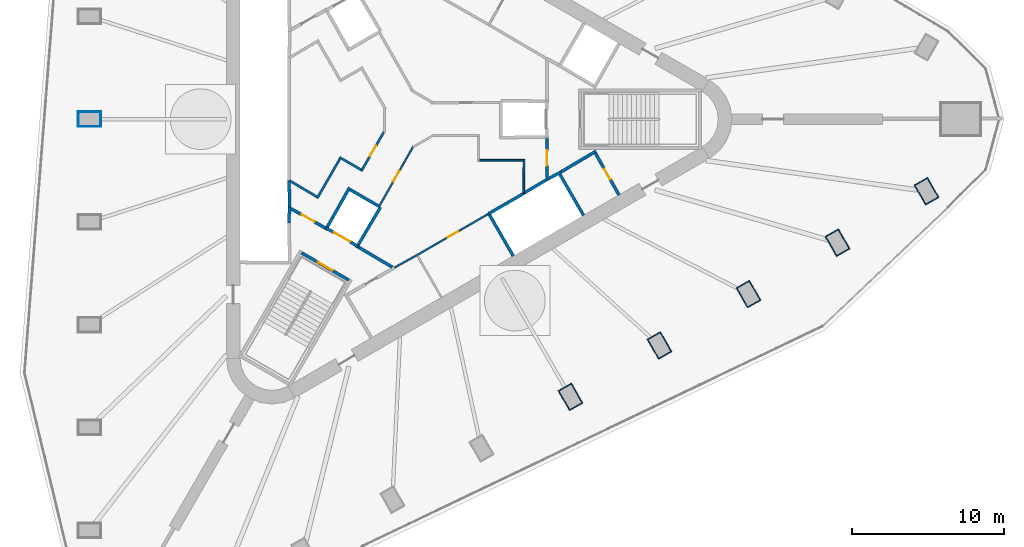
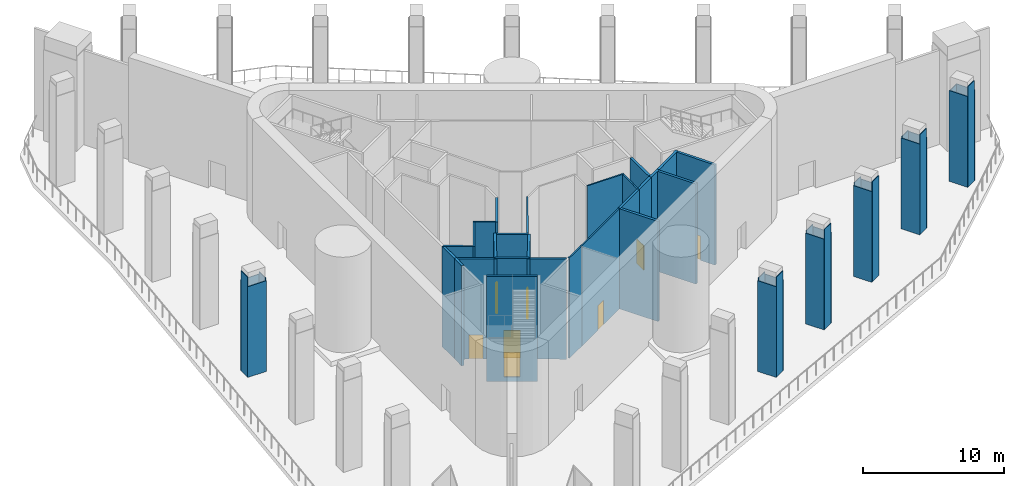
# One storey, part 3 of 10: 50 walls, 8 doors, 8 openings.
"""IFC4 building model written with IfcOpenShell, lengths in metres."""

from ifc_helpers import new_model, si_unit, direction, frame, frame_2d, origin, place, context, subcontext, project, spatial, rectangle, extrude, material, layer, layer_set, type_object, element, fill, save


model = new_model("IFC4")

# Units and contexts
model_context = context("Model", 3, precision=1e-05, world=origin(), true_north=direction((0.0, 1.0)))
body_context = subcontext(model_context, "Body", "Model", "MODEL_VIEW")
ifc_project = project(units=[si_unit("LENGTHUNIT", "METRE"), si_unit("AREAUNIT", "SQUARE_METRE"), si_unit("VOLUMEUNIT", "CUBIC_METRE"), si_unit("PLANEANGLEUNIT", "RADIAN"), si_unit("MASSUNIT", "GRAM", prefix="KILO")], contexts=[model_context])

# Site, building, storey
site_placement = place(None, origin())
site = spatial("IfcSite", under=ifc_project, at=site_placement, CompositionType="ELEMENT")
building_placement = place(site_placement, origin())
building = spatial("IfcBuilding", under=site, at=building_placement, Name="Tanit Gate Tower", CompositionType="ELEMENT")
storey_placement = place(building_placement, frame((0.0, 0.0, 283.699951171875)))
storey = spatial("IfcBuildingStorey", under=building, at=storey_placement, Name="L64", CompositionType="ELEMENT", Elevation=283.699951171875)

# Walls
ifc_material_1 = material(Name="Bronze anodised aluminium cladding", Category="aluminium")
ifc_layer_1 = layer(ifc_material_1, 0.06005859375)
ifc_layer_set_1 = layer_set([ifc_layer_1], Name="Column casing bronze 60")
wall_type_1 = type_object("IfcWallType", Name="Column casing bronze 60", PredefinedType="SOLIDWALL", material=ifc_layer_set_1)
for number, where, z_axis, x_axis, name in (
    (1, (-20.361328125, -0.47998046875, 0.0), (0.0, 0.0, 1.0), (-1.0, 0.0, 0.0), "Column casing L64 P-W5.L1"),
    (2, (-20.361328125, 0.47998046875, 0.0), (0.0, 0.0, 1.0), (-1.0, 0.0, 0.0), "Column casing L64 P-W5.L2"),
):
    element("IfcWall", number, at=place(storey_placement, frame(where, z_axis=z_axis, x_axis=x_axis)), inside=storey, type_object=wall_type_1, Name=name, PredefinedType="SOLIDWALL", context=body_context, shape_type="SweptSolid", body=[
        extrude(rectangle(XDim=1.52001953125, YDim=0.06005859375, at=frame_2d((0.760009765625, 0.0))), origin(), (0.0, 0.0, 1.0), 7.8359375),
    ])
wall_1_placement = place(storey_placement, frame((-21.851318359375, 0.449951171875, 0.0), z_axis=(0.0, 0.0, 1.0), x_axis=(0.0, -1.0, 0.0)))
element("IfcWall", 3, at=wall_1_placement, inside=storey, type_object=wall_type_1, Name="Column casing L64 P-W5.S1", PredefinedType="SOLIDWALL", context=body_context, shape_type="SweptSolid", body=[
    extrude(rectangle(XDim=0.89990234375, YDim=0.06005859375, at=frame_2d((0.449951171875, 0.0))), origin(), (0.0, 0.0, 1.0), 8.650146484375),
])
wall_2_placement = place(storey_placement, frame((-20.391357421875, 0.449951171875, 0.0), z_axis=(0.0, 0.0, 1.0), x_axis=(0.0, -1.0, 0.0)))
element("IfcWall", 4, at=wall_2_placement, inside=storey, type_object=wall_type_1, Name="Column casing L64 P-W5.S2", PredefinedType="SOLIDWALL", context=body_context, shape_type="SweptSolid", body=[
    extrude(rectangle(XDim=0.89990234375, YDim=0.06005859375, at=frame_2d((0.449951171875, 0.0))), origin(), (0.0, 0.0, 1.0), 8.050048828125),
])
for number, where, z_axis, x_axis, name in (
    (5, (10.596435546875, -17.3935546875, 0.0), (0.0, 0.0, 1.0), (0.499991248344, -0.866030456496, 0.0), "Column casing L64 P-SE5.L1"),
    (6, (9.764892578125, -17.87353515625, 0.0), (0.0, 0.0, 1.0), (0.499991248344, -0.866030456496, 0.0), "Column casing L64 P-SE5.L2"),
):
    element("IfcWall", number, at=place(storey_placement, frame(where, z_axis=z_axis, x_axis=x_axis)), inside=storey, type_object=wall_type_1, Name=name, PredefinedType="SOLIDWALL", context=body_context, shape_type="SweptSolid", body=[
        extrude(rectangle(XDim=1.52001953125, YDim=0.06005859375, at=frame_2d((0.760009765625, 0.0))), origin(), (0.0, 0.0, 1.0), 7.8359375),
    ])
wall_3_placement = place(storey_placement, frame((10.535888671875, -19.14892578125, 0.0), z_axis=(0.0, 0.0, 1.0), x_axis=(0.866081705922, 0.499902469156, 0.0)))
element("IfcWall", 7, at=wall_3_placement, inside=storey, type_object=wall_type_1, Name="Column casing L64 P-SE5.S1", PredefinedType="SOLIDWALL", context=body_context, shape_type="SweptSolid", body=[
    extrude(rectangle(XDim=0.900146484375, YDim=0.06005859375, at=frame_2d((0.4501953125, 0.0))), origin(), (0.0, 0.0, 1.0), 8.650146484375),
])
wall_4_placement = place(storey_placement, frame((9.805908203125, -17.884521484375, 0.0), z_axis=(0.0, 0.0, 1.0), x_axis=(0.866081705922, 0.499902469156, 0.0)))
element("IfcWall", 8, at=wall_4_placement, inside=storey, type_object=wall_type_1, Name="Column casing L64 P-SE5.S2", PredefinedType="SOLIDWALL", context=body_context, shape_type="SweptSolid", body=[
    extrude(rectangle(XDim=0.900146484375, YDim=0.06005859375, at=frame_2d((0.4501953125, 0.0))), origin(), (0.0, 0.0, 1.0), 8.050048828125),
])
for number, where, z_axis, x_axis, name in (
    (9, (16.460205078125, -14.008056640625, 0.0), (0.0, 0.0, 1.0), (0.499991248344, -0.866030456496, 0.0), "Column casing L64 P-SE6.L1"),
    (10, (15.62890625, -14.488037109375, 0.0), (0.0, 0.0, 1.0), (0.499991248344, -0.866030456496, 0.0), "Column casing L64 P-SE6.L2"),
):
    element("IfcWall", number, at=place(storey_placement, frame(where, z_axis=z_axis, x_axis=x_axis)), inside=storey, type_object=wall_type_1, Name=name, PredefinedType="SOLIDWALL", context=body_context, shape_type="SweptSolid", body=[
        extrude(rectangle(XDim=1.52001953125, YDim=0.06005859375, at=frame_2d((0.760009765625, 0.0))), origin(), (0.0, 0.0, 1.0), 7.8359375),
    ])
wall_5_placement = place(storey_placement, frame((16.39990234375, -15.763427734375, 0.0), z_axis=(0.0, 0.0, 1.0), x_axis=(0.866013897511, 0.50001992892, 0.0)))
element("IfcWall", 11, at=wall_5_placement, inside=storey, type_object=wall_type_1, Name="Column casing L64 P-SE6.S1", PredefinedType="SOLIDWALL", context=body_context, shape_type="SweptSolid", body=[
    extrude(rectangle(XDim=0.89990234375, YDim=0.06005859375, at=frame_2d((0.449951171875, 0.0))), origin(), (0.0, 0.0, 1.0), 8.650146484375),
])
wall_6_placement = place(storey_placement, frame((15.669921875, -14.4990234375, 0.0), z_axis=(0.0, 0.0, 1.0), x_axis=(0.866013897511, 0.50001992892, 0.0)))
element("IfcWall", 12, at=wall_6_placement, inside=storey, type_object=wall_type_1, Name="Column casing L64 P-SE6.S2", PredefinedType="SOLIDWALL", context=body_context, shape_type="SweptSolid", body=[
    extrude(rectangle(XDim=0.89990234375, YDim=0.06005859375, at=frame_2d((0.449951171875, 0.0))), origin(), (0.0, 0.0, 1.0), 8.050048828125),
])
for number, where, z_axis, x_axis, name in (
    (13, (22.32421875, -10.62255859375, 0.0), (0.0, 0.0, 1.0), (0.49987077196, -0.866100000774, 0.0), "Column casing L64 P-SE7.L1"),
    (14, (21.49267578125, -11.1025390625, 0.0), (0.0, 0.0, 1.0), (0.499991248344, -0.866030456496, 0.0), "Column casing L64 P-SE7.L2"),
):
    element("IfcWall", number, at=place(storey_placement, frame(where, z_axis=z_axis, x_axis=x_axis)), inside=storey, type_object=wall_type_1, Name=name, PredefinedType="SOLIDWALL", context=body_context, shape_type="SweptSolid", body=[
        extrude(rectangle(XDim=1.52001953125, YDim=0.06005859375, at=frame_2d((0.760009765625, 0.0))), origin(), (0.0, 0.0, 1.0), 7.8359375),
    ])
wall_7_placement = place(storey_placement, frame((22.263671875, -12.3779296875, 0.0), z_axis=(0.0, 0.0, 1.0), x_axis=(0.866081705922, 0.499902469156, 0.0)))
element("IfcWall", 15, at=wall_7_placement, inside=storey, type_object=wall_type_1, Name="Column casing L64 P-SE7.S1", PredefinedType="SOLIDWALL", context=body_context, shape_type="SweptSolid", body=[
    extrude(rectangle(XDim=0.900146484375, YDim=0.06005859375, at=frame_2d((0.4501953125, 0.0))), origin(), (0.0, 0.0, 1.0), 8.650146484375),
])
wall_8_placement = place(storey_placement, frame((21.53369140625, -11.113525390625, 0.0), z_axis=(0.0, 0.0, 1.0), x_axis=(0.866013897511, 0.50001992892, 0.0)))
element("IfcWall", 16, at=wall_8_placement, inside=storey, type_object=wall_type_1, Name="Column casing L64 P-SE7.S2", PredefinedType="SOLIDWALL", context=body_context, shape_type="SweptSolid", body=[
    extrude(rectangle(XDim=0.89990234375, YDim=0.06005859375, at=frame_2d((0.449951171875, 0.0))), origin(), (0.0, 0.0, 1.0), 8.050048828125),
])
for number, where, z_axis, x_axis, name in (
    (17, (28.18798828125, -7.237060546875, 0.0), (0.0, 0.0, 1.0), (0.499991248344, -0.866030456496, 0.0), "Column casing L64 P-SE8.L1"),
    (18, (27.3564453125, -7.717041015625, 0.0), (0.0, 0.0, 1.0), (0.499991248344, -0.866030456496, 0.0), "Column casing L64 P-SE8.L2"),
):
    element("IfcWall", number, at=place(storey_placement, frame(where, z_axis=z_axis, x_axis=x_axis)), inside=storey, type_object=wall_type_1, Name=name, PredefinedType="SOLIDWALL", context=body_context, shape_type="SweptSolid", body=[
        extrude(rectangle(XDim=1.52001953125, YDim=0.06005859375, at=frame_2d((0.760009765625, 0.0))), origin(), (0.0, 0.0, 1.0), 7.8359375),
    ])
wall_9_placement = place(storey_placement, frame((28.12744140625, -8.992431640625, 0.0), z_axis=(0.0, 0.0, 1.0), x_axis=(0.866081705922, 0.499902469156, 0.0)))
element("IfcWall", 19, at=wall_9_placement, inside=storey, type_object=wall_type_1, Name="Column casing L64 P-SE8.S1", PredefinedType="SOLIDWALL", context=body_context, shape_type="SweptSolid", body=[
    extrude(rectangle(XDim=0.900146484375, YDim=0.06005859375, at=frame_2d((0.4501953125, 0.0))), origin(), (0.0, 0.0, 1.0), 8.650146484375),
])
wall_10_placement = place(storey_placement, frame((27.3974609375, -7.72802734375, 0.0), z_axis=(0.0, 0.0, 1.0), x_axis=(0.866081705922, 0.499902469156, 0.0)))
element("IfcWall", 20, at=wall_10_placement, inside=storey, type_object=wall_type_1, Name="Column casing L64 P-SE8.S2", PredefinedType="SOLIDWALL", context=body_context, shape_type="SweptSolid", body=[
    extrude(rectangle(XDim=0.900146484375, YDim=0.06005859375, at=frame_2d((0.4501953125, 0.0))), origin(), (0.0, 0.0, 1.0), 7.9599609375),
])
for number, where, z_axis, x_axis, name in (
    (21, (34.0517578125, -3.8515625, 0.0), (0.0, 0.0, 1.0), (0.499991248344, -0.866030456496, 0.0), "Column casing L64 P-SE9.L1"),
    (22, (33.220458984375, -4.33154296875, 0.0), (0.0, 0.0, 1.0), (0.499991248344, -0.866030456496, 0.0), "Column casing L64 P-SE9.L2"),
):
    element("IfcWall", number, at=place(storey_placement, frame(where, z_axis=z_axis, x_axis=x_axis)), inside=storey, type_object=wall_type_1, Name=name, PredefinedType="SOLIDWALL", context=body_context, shape_type="SweptSolid", body=[
        extrude(rectangle(XDim=1.52001953125, YDim=0.06005859375, at=frame_2d((0.760009765625, 0.0))), origin(), (0.0, 0.0, 1.0), 7.8359375),
    ])
wall_11_placement = place(storey_placement, frame((33.991455078125, -5.60693359375, 0.0), z_axis=(0.0, 0.0, 1.0), x_axis=(0.866013897511, 0.50001992892, 0.0)))
element("IfcWall", 23, at=wall_11_placement, inside=storey, type_object=wall_type_1, Name="Column casing L64 P-SE9.S1", PredefinedType="SOLIDWALL", context=body_context, shape_type="SweptSolid", body=[
    extrude(rectangle(XDim=0.89990234375, YDim=0.06005859375, at=frame_2d((0.449951171875, 0.0))), origin(), (0.0, 0.0, 1.0), 8.650146484375),
])
wall_12_placement = place(storey_placement, frame((33.261474609375, -4.342529296875, 0.0), z_axis=(0.0, 0.0, 1.0), x_axis=(0.866013897511, 0.50001992892, 0.0)))
element("IfcWall", 24, at=wall_12_placement, inside=storey, type_object=wall_type_1, Name="Column casing L64 P-SE9.S2", PredefinedType="SOLIDWALL", context=body_context, shape_type="SweptSolid", body=[
    extrude(rectangle(XDim=0.89990234375, YDim=0.06005859375, at=frame_2d((0.449951171875, 0.0))), origin(), (0.0, 0.0, 1.0), 7.8359375),
])
ifc_material_2 = material(Name="Fire-rated gypsum board partition")
ifc_layer_2 = layer(ifc_material_2, 0.199951171875)
ifc_layer_set_2 = layer_set([ifc_layer_2], Name="INT-WALL-COMPARTMENT")
wall_type_2 = type_object("IfcWallType", Name="INT-WALL-COMPARTMENT", PredefinedType="PARTITIONING", material=ifc_layer_set_2)
wall_13_placement = place(storey_placement, frame((12.244873046875, -2.10888671875, 0.0), z_axis=(0.0, 0.0, 1.0), x_axis=(-0.860414880418, -0.509594185166, 0.0)))
element("IfcWall", 25, at=wall_13_placement, inside=storey, type_object=wall_type_2, Name="Wall Compartment W057", PredefinedType="PARTITIONING", context=body_context, shape_type="SweptSolid", body=[
    extrude(rectangle(XDim=2.7001953125, YDim=0.199951171875, at=frame_2d((1.35009765625, 0.0))), origin(), (0.0, 0.0, 1.0), 8.650146484375),
])

# Wall, opening, door
wall_14_placement = place(storey_placement, frame((13.758056640625, -4.989501953125, 0.0), z_axis=(0.0, 0.0, 1.0), x_axis=(-0.491993409184, 0.87059892334, 0.0)))
wall_14 = element("IfcWall", 26, at=wall_14_placement, inside=storey, type_object=wall_type_2, Name="Wall Compartment W058", PredefinedType="PARTITIONING", context=body_context, shape_type="SweptSolid", body=[
    extrude(rectangle(XDim=3.150146484375, YDim=0.199951171875, at=frame_2d((1.5751953125, 0.0))), origin(), (0.0, 0.0, 1.0), 8.650146484375),
])
opening_1_placement = place(wall_14_placement, frame((1.175048828125, 0.0, 0.0)))
opening_1 = element("IfcOpeningElement", 27, at=opening_1_placement, cuts=wall_14, Name="Opening R08-64-18", PredefinedType="OPENING", context=body_context, shape_type="SweptSolid", body=[
    extrude(rectangle(XDim=0.800048828125, YDim=2.10009765625, at=frame_2d((0.39990234375, 1.050048828125))), frame((0.0, 0.10986328125, 0.0), z_axis=(0.0, -1.0, 0.0), x_axis=(1.0, 0.0, 0.0)), (0.0, 0.0, 1.0), 0.219970703125),
])
ifc_material_3 = material(Name="Timber door leaf", Category="wood")
door_type_1 = type_object("IfcDoorType", Name="INT-DOOR-RISER-800", OperationType="NOTDEFINED", PredefinedType="USERDEFINED", material=ifc_material_3)
door_1_placement = place(opening_1_placement, origin())
door_1 = element("IfcDoor", 28, at=door_1_placement, inside=storey, type_object=door_type_1, Name="Door R08-64-18", ObjectType="FIRE DOOR", OperationType="SINGLE_SWING_RIGHT", OverallHeight=2.10009765625, OverallWidth=0.800048828125, PredefinedType="USERDEFINED", context=body_context, shape_type="SweptSolid", body=[
    extrude(rectangle(XDim=0.800048828125, YDim=2.10009765625, at=frame_2d((0.39990234375, 1.050048828125))), frame((0.0, 0.02490234375, 0.0), z_axis=(0.0, -1.0, 0.0), x_axis=(1.0, 0.0, 0.0)), (0.0, 0.0, 1.0), 0.050048828125),
])
fill(opening_1, door_1)

wall_15_placement = place(storey_placement, frame((9.02880859375, -3.850830078125, 0.0), z_axis=(0.0, 0.0, 1.0), x_axis=(-0.010783593937, 0.99994185536, 0.0)))
wall_15 = element("IfcWall", 29, at=wall_15_placement, inside=storey, type_object=wall_type_2, Name="Wall Compartment W060", PredefinedType="PARTITIONING", context=body_context, shape_type="SweptSolid", body=[
    extrude(rectangle(XDim=2.5810546875, YDim=0.199951171875, at=frame_2d((1.29052734375, 0.0))), origin(), (0.0, 0.0, 1.0), 8.650146484375),
])
opening_2_placement = place(wall_15_placement, frame((0.79052734375, 0.0, 0.0)))
opening_2 = element("IfcOpeningElement", 30, at=opening_2_placement, cuts=wall_15, Name="Opening F10-64-02", PredefinedType="OPENING", context=body_context, shape_type="SweptSolid", body=[
    extrude(rectangle(XDim=1.0, YDim=2.10009765625, at=frame_2d((0.5, 1.050048828125))), frame((0.0, 0.10986328125, 0.0), z_axis=(0.0, -1.0, 0.0), x_axis=(1.0, 0.0, 0.0)), (0.0, 0.0, 1.0), 0.219970703125),
])
ifc_material_4 = material(Name="Fire-rated steel door leaf", Category="steel")
door_type_2 = type_object("IfcDoorType", Name="INT-DOOR-FIRE-1000", OperationType="NOTDEFINED", PredefinedType="USERDEFINED", material=ifc_material_4)
door_2_placement = place(opening_2_placement, origin())
door_2 = element("IfcDoor", 31, at=door_2_placement, inside=storey, type_object=door_type_2, Name="Door F10-64-02", ObjectType="FIRE DOOR", OperationType="SINGLE_SWING_LEFT", OverallHeight=2.10009765625, OverallWidth=1.0, PredefinedType="USERDEFINED", context=body_context, shape_type="SweptSolid", body=[
    extrude(rectangle(XDim=1.0, YDim=2.10009765625, at=frame_2d((0.5, 1.050048828125))), frame((0.0, 0.02490234375, 0.0), z_axis=(0.0, -1.0, 0.0), x_axis=(1.0, 0.0, 0.0)), (0.0, 0.0, 1.0), 0.050048828125),
])
fill(opening_2, door_2)

# Wall
wall_16_placement = place(storey_placement, frame((-3.400634765625, -8.43017578125, 0.0), z_axis=(0.0, 0.0, 1.0), x_axis=(0.860630814782, -0.509229418482, 0.0)))
element("IfcWall", 32, at=wall_16_placement, inside=storey, type_object=wall_type_2, Name="Wall Compartment W063", PredefinedType="PARTITIONING", context=body_context, shape_type="SweptSolid", body=[
    extrude(rectangle(XDim=2.581787109375, YDim=0.199951171875, at=frame_2d((1.291015625, 0.0))), origin(), (0.0, 0.0, 1.0), 8.650146484375),
])

# Wall, opening, door
wall_17_placement = place(storey_placement, frame((-7.849365234375, -5.893798828125, 0.0), z_axis=(0.0, 0.0, 1.0), x_axis=(0.871363259478, -0.490638431059, 0.0)))
wall_17 = element("IfcWall", 33, at=wall_17_placement, inside=storey, type_object=wall_type_2, Name="Wall Compartment W064", PredefinedType="PARTITIONING", context=body_context, shape_type="SweptSolid", body=[
    extrude(rectangle(XDim=2.5810546875, YDim=0.199951171875, at=frame_2d((1.29052734375, 0.0))), origin(), (0.0, 0.0, 1.0), 8.650146484375),
])
opening_3_placement = place(wall_17_placement, frame((0.79052734375, 0.0, 0.0)))
opening_3 = element("IfcOpeningElement", 34, at=opening_3_placement, cuts=wall_17, Name="Opening F10-64-08", PredefinedType="OPENING", context=body_context, shape_type="SweptSolid", body=[
    extrude(rectangle(XDim=1.0, YDim=2.10009765625, at=frame_2d((0.5, 1.050048828125))), frame((0.0, 0.10986328125, 0.0), z_axis=(0.0, -1.0, 0.0), x_axis=(1.0, 0.0, 0.0)), (0.0, 0.0, 1.0), 0.219970703125),
])
door_3_placement = place(opening_3_placement, origin())
door_3 = element("IfcDoor", 35, at=door_3_placement, inside=storey, type_object=door_type_2, Name="Door F10-64-08", ObjectType="FIRE DOOR", OperationType="SINGLE_SWING_RIGHT", OverallHeight=2.10009765625, OverallWidth=1.0, PredefinedType="USERDEFINED", context=body_context, shape_type="SweptSolid", body=[
    extrude(rectangle(XDim=1.0, YDim=2.10009765625, at=frame_2d((0.5, 1.050048828125))), frame((0.0, 0.02490234375, 0.0), z_axis=(0.0, -1.0, 0.0), x_axis=(1.0, 0.0, 0.0)), (0.0, 0.0, 1.0), 0.050048828125),
])
fill(opening_3, door_3)

# Wall
ifc_material_5 = material(Name="Gypsum board partition")
ifc_layer_3 = layer(ifc_material_5, 0.1201171875)
ifc_layer_set_3 = layer_set([ifc_layer_3], Name="INT-WALL-PARTITION")
wall_type_3 = type_object("IfcWallType", Name="INT-WALL-PARTITION", PredefinedType="PARTITIONING", material=ifc_layer_set_3)
wall_18_placement = place(storey_placement, frame((-1.0234375, -9.77197265625, 0.0), z_axis=(0.0, 0.0, 1.0), x_axis=(0.874290944206, 0.485402250592, 0.0)))
element("IfcWall", 36, at=wall_18_placement, inside=storey, type_object=wall_type_3, Name="Wall Partition W055", PredefinedType="PARTITIONING", context=body_context, shape_type="SweptSolid", body=[
    extrude(rectangle(XDim=1.72265625, YDim=0.1201171875, at=frame_2d((0.861328125, 0.0))), origin(), (0.0, 0.0, 1.0), 8.650146484375),
])

# Wall, opening, door
wall_19_placement = place(storey_placement, frame((0.482666015625, -8.935791015625, 0.0), z_axis=(0.0, 0.0, 1.0), x_axis=(0.866028230842, 0.499995103361, 0.0)))
wall_19 = element("IfcWall", 37, at=wall_19_placement, inside=storey, type_object=wall_type_3, Name="Wall Partition W056", PredefinedType="PARTITIONING", context=body_context, shape_type="SweptSolid", body=[
    extrude(rectangle(XDim=5.39990234375, YDim=0.1201171875, at=frame_2d((2.699951171875, 0.0))), origin(), (0.0, 0.0, 1.0), 8.650146484375),
])
opening_4_placement = place(wall_19_placement, frame((2.300048828125, 0.0, 0.0)))
opening_4 = element("IfcOpeningElement", 38, at=opening_4_placement, cuts=wall_19, Name="Opening R08-64-17", PredefinedType="OPENING", context=body_context, shape_type="SweptSolid", body=[
    extrude(rectangle(XDim=0.800048828125, YDim=2.10009765625, at=frame_2d((0.39990234375, 1.050048828125))), frame((0.0, 0.070068359375, 0.0), z_axis=(0.0, -1.0, 0.0), x_axis=(1.0, 0.0, 0.0)), (0.0, 0.0, 1.0), 0.14013671875),
])
door_4_placement = place(opening_4_placement, origin())
door_4 = element("IfcDoor", 39, at=door_4_placement, inside=storey, type_object=door_type_1, Name="Door R08-64-17", ObjectType="FIRE DOOR", OperationType="SINGLE_SWING_RIGHT", OverallHeight=2.10009765625, OverallWidth=0.800048828125, PredefinedType="USERDEFINED", context=body_context, shape_type="SweptSolid", body=[
    extrude(rectangle(XDim=0.800048828125, YDim=2.10009765625, at=frame_2d((0.39990234375, 1.050048828125))), frame((0.0, 0.02490234375, 0.0), z_axis=(0.0, -1.0, 0.0), x_axis=(1.0, 0.0, 0.0)), (0.0, 0.0, 1.0), 0.050048828125),
])
fill(opening_4, door_4)

wall_20_placement = place(storey_placement, frame((0.223876953125, -1.760986328125, 0.0), z_axis=(0.0, 0.0, 1.0), x_axis=(-0.494327216836, -0.869275907118, 0.0)))
wall_20 = element("IfcWall", 40, at=wall_20_placement, inside=storey, type_object=wall_type_3, Name="Wall Partition W068", PredefinedType="PARTITIONING", context=body_context, shape_type="SweptSolid", body=[
    extrude(rectangle(XDim=4.487060546875, YDim=0.1201171875, at=frame_2d((2.24365234375, 0.0))), origin(), (0.0, 0.0, 1.0), 8.650146484375),
])
opening_5_placement = place(wall_20_placement, frame((1.89453125, 0.0, 0.0)))
opening_5 = element("IfcOpeningElement", 41, at=opening_5_placement, cuts=wall_20, Name="Opening R08-64-11", PredefinedType="OPENING", context=body_context, shape_type="SweptSolid", body=[
    extrude(rectangle(XDim=0.800048828125, YDim=2.10009765625, at=frame_2d((0.39990234375, 1.050048828125))), frame((0.0, 0.070068359375, 0.0), z_axis=(0.0, -1.0, 0.0), x_axis=(1.0, 0.0, 0.0)), (0.0, 0.0, 1.0), 0.14013671875),
])
door_5_placement = place(opening_5_placement, origin())
door_5 = element("IfcDoor", 42, at=door_5_placement, inside=storey, type_object=door_type_1, Name="Door R08-64-11", ObjectType="FIRE DOOR", OperationType="SINGLE_SWING_RIGHT", OverallHeight=2.10009765625, OverallWidth=0.800048828125, PredefinedType="USERDEFINED", context=body_context, shape_type="SweptSolid", body=[
    extrude(rectangle(XDim=0.800048828125, YDim=2.10009765625, at=frame_2d((0.39990234375, 1.050048828125))), frame((0.0, 0.02490234375, 0.0), z_axis=(0.0, -1.0, 0.0), x_axis=(1.0, 0.0, 0.0)), (0.0, 0.0, 1.0), 0.050048828125),
])
fill(opening_5, door_5)

# Walls
wall_21_placement = place(storey_placement, frame((7.56005859375, -2.699951171875, 0.0), z_axis=(0.0, 0.0, 1.0), x_axis=(-1.0, 0.0, 0.0)))
element("IfcWall", 43, at=wall_21_placement, inside=storey, type_object=wall_type_3, Name="Wall Partition W072", PredefinedType="PARTITIONING", context=body_context, shape_type="SweptSolid", body=[
    extrude(rectangle(XDim=3.0, YDim=0.1201171875, at=frame_2d((1.5, 0.0))), origin(), (0.0, 0.0, 1.0), 8.650146484375),
])
wall_22_placement = place(storey_placement, frame((7.474609375, -4.864501953125, 0.0), z_axis=(0.0, 0.0, 1.0), x_axis=(0.011716133148, 0.999931363757, 0.0)))
element("IfcWall", 44, at=wall_22_placement, inside=storey, type_object=wall_type_3, Name="Wall Partition W073", PredefinedType="PARTITIONING", context=body_context, shape_type="SweptSolid", body=[
    extrude(rectangle(XDim=2.104736328125, YDim=0.1201171875, at=frame_2d((1.05224609375, 0.0))), origin(), (0.0, 0.0, 1.0), 8.650146484375),
])

# Wall, opening, door
ifc_material_6 = material(Name="Fire-rated gypsum board partition")
ifc_layer_4 = layer(ifc_material_6, 0.14990234375)
ifc_layer_set_4 = layer_set([ifc_layer_4], Name="INT-WALL-RISER")
wall_type_4 = type_object("IfcWallType", Name="INT-WALL-RISER", PredefinedType="PLUMBINGWALL", material=ifc_layer_set_4)
wall_23_placement = place(storey_placement, frame((-3.218505859375, -3.424560546875, 0.0), z_axis=(0.0, 0.0, 1.0), x_axis=(0.499996236806, 0.866027576455, 0.0)))
wall_23 = element("IfcWall", 45, at=wall_23_placement, inside=storey, type_object=wall_type_4, Name="Wall Riser W079", PredefinedType="PLUMBINGWALL", context=body_context, shape_type="SweptSolid", body=[
    extrude(rectangle(XDim=3.0361328125, YDim=0.14990234375, at=frame_2d((1.51806640625, 0.0))), origin(), (0.0, 0.0, 1.0), 8.650146484375),
])
opening_6_placement = place(wall_23_placement, frame((1.155517578125, 0.0, 0.0)))
opening_6 = element("IfcOpeningElement", 46, at=opening_6_placement, cuts=wall_23, Name="Opening R08-64-12", PredefinedType="OPENING", context=body_context, shape_type="SweptSolid", body=[
    extrude(rectangle(XDim=0.800048828125, YDim=2.10009765625, at=frame_2d((0.39990234375, 1.050048828125))), frame((0.0, 0.0849609375, 0.0), z_axis=(0.0, -1.0, 0.0), x_axis=(1.0, 0.0, 0.0)), (0.0, 0.0, 1.0), 0.169921875),
])
door_6_placement = place(opening_6_placement, origin())
door_6 = element("IfcDoor", 47, at=door_6_placement, inside=storey, type_object=door_type_1, Name="Door R08-64-12", ObjectType="FIRE DOOR", OperationType="SINGLE_SWING_LEFT", OverallHeight=2.10009765625, OverallWidth=0.800048828125, PredefinedType="USERDEFINED", context=body_context, shape_type="SweptSolid", body=[
    extrude(rectangle(XDim=0.800048828125, YDim=2.10009765625, at=frame_2d((0.39990234375, 1.050048828125))), frame((0.0, 0.02490234375, 0.0), z_axis=(0.0, -1.0, 0.0), x_axis=(1.0, 0.0, 0.0)), (0.0, 0.0, 1.0), 0.050048828125),
])
fill(opening_6, door_6)

# Walls
wall_24_placement = place(storey_placement, frame((-4.6533203125, -2.509521484375, 0.0), z_axis=(0.0, 0.0, 1.0), x_axis=(0.866053003207, -0.499952193351, 0.0)))
element("IfcWall", 48, at=wall_24_placement, inside=storey, type_object=wall_type_4, Name="Wall Riser W080", PredefinedType="PLUMBINGWALL", context=body_context, shape_type="SweptSolid", body=[
    extrude(rectangle(XDim=1.625244140625, YDim=0.14990234375, at=frame_2d((0.8125, 0.0))), origin(), (0.0, 0.0, 1.0), 8.650146484375),
])
wall_25_placement = place(storey_placement, frame((-6.125732421875, -5.210205078125, 0.0), z_axis=(0.0, 0.0, 1.0), x_axis=(0.499990139034, 0.866031096941, 0.0)))
element("IfcWall", 49, at=wall_25_placement, inside=storey, type_object=wall_type_4, Name="Wall Riser W081", PredefinedType="PLUMBINGWALL", context=body_context, shape_type="SweptSolid", body=[
    extrude(rectangle(XDim=3.0, YDim=0.14990234375, at=frame_2d((1.5, 0.0))), origin(), (0.0, 0.0, 1.0), 8.650146484375),
])
wall_26_placement = place(storey_placement, frame((-7.949951171875, -4.041015625, 0.0), z_axis=(0.0, 0.0, 1.0), x_axis=(0.860090281069, -0.510141851263, 0.0)))
element("IfcWall", 50, at=wall_26_placement, inside=storey, type_object=wall_type_4, Name="Wall Riser W082", PredefinedType="PLUMBINGWALL", context=body_context, shape_type="SweptSolid", body=[
    extrude(rectangle(XDim=2.08935546875, YDim=0.14990234375, at=frame_2d((1.044677734375, 0.0))), origin(), (0.0, 0.0, 1.0), 8.650146484375),
])
ifc_material_7 = material(Name="Gypsum shaft wall system")
ifc_layer_5 = layer(ifc_material_7, 0.199951171875)
ifc_layer_set_5 = layer_set([ifc_layer_5], Name="INT-WALL-SHAFT")
wall_type_5 = type_object("IfcWallType", Name="INT-WALL-SHAFT", PredefinedType="PLUMBINGWALL", material=ifc_layer_set_5)
wall_27_placement = place(storey_placement, frame((-7.949951171875, -5.7724609375, 0.0), z_axis=(0.0, 0.0, 1.0), x_axis=(-0.030803413295, -0.999525462272, 0.0)))
element("IfcWall", 51, at=wall_27_placement, inside=storey, type_object=wall_type_5, Name="Wall Shaft W008", PredefinedType="PLUMBINGWALL", context=body_context, shape_type="SweptSolid", body=[
    extrude(rectangle(XDim=1.077880859375, YDim=0.199951171875, at=frame_2d((0.5390625, 0.0))), origin(), (0.0, 0.0, 1.0), 8.650146484375),
])
wall_28_placement = place(storey_placement, frame((-7.971435546875, -4.050048828125, 0.0), z_axis=(0.0, 0.0, 1.0), x_axis=(0.012042535896, -0.999927486035, 0.0)))
element("IfcWall", 52, at=wall_28_placement, inside=storey, type_object=wall_type_5, Name="Wall Shaft W009", PredefinedType="PLUMBINGWALL", context=body_context, shape_type="SweptSolid", body=[
    extrude(rectangle(XDim=1.844970703125, YDim=0.199951171875, at=frame_2d((0.92236328125, 0.0))), origin(), (0.0, 0.0, 1.0), 8.650146484375),
])
wall_29_placement = place(storey_placement, frame((6.795166015625, -9.009521484375, 0.0), z_axis=(0.0, 0.0, 1.0), x_axis=(-0.499984717929, 0.866034226713, 0.0)))
element("IfcWall", 53, at=wall_29_placement, inside=storey, type_object=wall_type_5, Name="Wall Shaft W015", PredefinedType="PLUMBINGWALL", context=body_context, shape_type="SweptSolid", body=[
    extrude(rectangle(XDim=3.25, YDim=0.199951171875, at=frame_2d((1.625, 0.0))), origin(), (0.0, 0.0, 1.0), 8.650146484375),
])
wall_30_placement = place(storey_placement, frame((5.1591796875, -6.23583984375, 0.0), z_axis=(0.0, 0.0, 1.0), x_axis=(0.866036505625, 0.499980770555, 0.0)))
element("IfcWall", 54, at=wall_30_placement, inside=storey, type_object=wall_type_5, Name="Wall Shaft W016", PredefinedType="PLUMBINGWALL", context=body_context, shape_type="SweptSolid", body=[
    extrude(rectangle(XDim=2.69970703125, YDim=0.199951171875, at=frame_2d((1.349853515625, 0.0))), origin(), (0.0, 0.0, 1.0), 8.650146484375),
])
wall_31_placement = place(storey_placement, frame((9.794677734375, -3.52490234375, 0.0), z_axis=(0.0, 0.0, 1.0), x_axis=(0.499984717929, -0.866034226713, 0.0)))
element("IfcWall", 55, at=wall_31_placement, inside=storey, type_object=wall_type_5, Name="Wall Shaft W017", PredefinedType="PLUMBINGWALL", context=body_context, shape_type="SweptSolid", body=[
    extrude(rectangle(XDim=3.25, YDim=0.199951171875, at=frame_2d((1.625, 0.0))), origin(), (0.0, 0.0, 1.0), 8.650146484375),
])
wall_32_placement = place(storey_placement, frame((8.97412109375, -3.998779296875, 0.0), z_axis=(0.0, 0.0, 1.0), x_axis=(0.880907015104, 0.473289373154, 0.0)))
element("IfcWall", 56, at=wall_32_placement, inside=storey, type_object=wall_type_5, Name="Wall Shaft W018", PredefinedType="PLUMBINGWALL", context=body_context, shape_type="SweptSolid", body=[
    extrude(rectangle(XDim=1.078125, YDim=0.199951171875, at=frame_2d((0.5390625, 0.0))), origin(), (0.0, 0.0, 1.0), 8.650146484375),
])
wall_33_placement = place(storey_placement, frame((7.4931640625, -4.87841796875, 0.0), z_axis=(0.0, 0.0, 1.0), x_axis=(0.859981807212, 0.510324691999, 0.0)))
element("IfcWall", 57, at=wall_33_placement, inside=storey, type_object=wall_type_5, Name="Wall Shaft W019", PredefinedType="PLUMBINGWALL", context=body_context, shape_type="SweptSolid", body=[
    extrude(rectangle(XDim=1.8447265625, YDim=0.199951171875, at=frame_2d((0.92236328125, 0.0))), origin(), (0.0, 0.0, 1.0), 8.650146484375),
])

# Wall, opening, door
wall_34_placement = place(storey_placement, frame((-3.44580078125, -8.3681640625, 0.0), z_axis=(0.0, 0.0, 1.0), x_axis=(-0.866024647952, 0.500001309137, 0.0)))
wall_34 = element("IfcWall", 58, at=wall_34_placement, inside=storey, type_object=wall_type_5, Name="Wall Shaft W040", PredefinedType="PLUMBINGWALL", context=body_context, shape_type="SweptSolid", body=[
    extrude(rectangle(XDim=2.39990234375, YDim=0.199951171875, at=frame_2d((1.199951171875, 0.0))), origin(), (0.0, 0.0, 1.0), 8.650146484375),
])
opening_7_placement = place(wall_34_placement, frame((0.60009765625, 0.0, 0.0)))
opening_7 = element("IfcOpeningElement", 59, at=opening_7_placement, cuts=wall_34, Name="Opening LDFL3-L64", PredefinedType="OPENING", context=body_context, shape_type="SweptSolid", body=[
    extrude(rectangle(XDim=1.199951171875, YDim=2.39990234375, at=frame_2d((0.60009765625, 1.199951171875))), frame((0.0, 0.10986328125, 0.0), z_axis=(0.0, -1.0, 0.0), x_axis=(1.0, 0.0, 0.0)), (0.0, 0.0, 1.0), 0.219970703125),
])
ifc_material_8 = material(Name="Stainless steel sliding door leaf", Category="steel")
door_type_3 = type_object("IfcDoorType", Name="INT-DOOR-LANDING-1200", OperationType="NOTDEFINED", PredefinedType="USERDEFINED", material=ifc_material_8)
door_7_placement = place(opening_7_placement, origin())
door_7 = element("IfcDoor", 60, at=door_7_placement, inside=storey, type_object=door_type_3, Name="Door LDFL3-L64", ObjectType="LANDING DOOR", OperationType="SLIDING_TO_LEFT", OverallHeight=2.39990234375, OverallWidth=1.199951171875, PredefinedType="USERDEFINED", context=body_context, shape_type="SweptSolid", body=[
    extrude(rectangle(XDim=1.199951171875, YDim=2.39990234375, at=frame_2d((0.60009765625, 1.199951171875))), frame((0.0, 0.02490234375, 0.0), z_axis=(0.0, -1.0, 0.0), x_axis=(1.0, 0.0, 0.0)), (0.0, 0.0, 1.0), 0.050048828125),
])
fill(opening_7, door_7)

# Walls
wall_35_placement = place(storey_placement, frame((-1.960693359375, -5.796142578125, 0.0), z_axis=(0.0, 0.0, 1.0), x_axis=(-0.508647062354, -0.860975125052, 0.0)))
element("IfcWall", 61, at=wall_35_placement, inside=storey, type_object=wall_type_5, Name="Wall Shaft W041", PredefinedType="PLUMBINGWALL", context=body_context, shape_type="SweptSolid", body=[
    extrude(rectangle(XDim=3.10009765625, YDim=0.199951171875, at=frame_2d((1.550048828125, 0.0))), origin(), (0.0, 0.0, 1.0), 8.650146484375),
])
wall_36_placement = place(storey_placement, frame((-3.989990234375, -4.509033203125, 0.0), z_axis=(0.0, 0.0, 1.0), x_axis=(-0.491358283181, -0.870957540612, 0.0)))
element("IfcWall", 62, at=wall_36_placement, inside=storey, type_object=wall_type_5, Name="Wall Shaft W042", PredefinedType="PLUMBINGWALL", context=body_context, shape_type="SweptSolid", body=[
    extrude(rectangle(XDim=3.200439453125, YDim=0.199951171875, at=frame_2d((1.60009765625, 0.0))), origin(), (0.0, 0.0, 1.0), 8.650146484375),
])
wall_37_placement = place(storey_placement, frame((-3.95263671875, -4.646240234375, 0.0), z_axis=(0.0, 0.0, 1.0), x_axis=(0.866065302921, -0.4999308863, 0.0)))
element("IfcWall", 63, at=wall_37_placement, inside=storey, type_object=wall_type_5, Name="Wall Shaft W043", PredefinedType="PLUMBINGWALL", context=body_context, shape_type="SweptSolid", body=[
    extrude(rectangle(XDim=2.264404296875, YDim=0.199951171875, at=frame_2d((1.13232421875, 0.0))), origin(), (0.0, 0.0, 1.0), 8.650146484375),
])

# Wall, opening, door
ifc_material_9 = material(Name="Concrete C40/50", Category="concrete")
ifc_layer_6 = layer(ifc_material_9, 0.199951171875)
ifc_layer_set_6 = layer_set([ifc_layer_6], Name="INT-WALL-STAIR")
wall_type_6 = type_object("IfcWallType", Name="INT-WALL-STAIR", PredefinedType="SHEAR", material=ifc_layer_set_6)
wall_38_placement = place(storey_placement, frame((-4.041259765625, -10.599365234375, -0.39990234375), z_axis=(0.0, 0.0, 1.0), x_axis=(-0.866047807691, 0.499961193289, 0.0)))
wall_38 = element("IfcWall", 64, at=wall_38_placement, inside=storey, type_object=wall_type_6, Name="Wall Stair W039", PredefinedType="SHEAR", context=body_context, shape_type="SweptSolid", body=[
    extrude(rectangle(XDim=3.599853515625, YDim=0.199951171875, at=frame_2d((1.7998046875, 0.0))), origin(), (0.0, 0.0, 1.0), 9.050048828125),
])
opening_8_placement = place(wall_38_placement, frame((1.25, 0.0, 0.39990234375)))
opening_8 = element("IfcOpeningElement", 65, at=opening_8_placement, cuts=wall_38, Name="Opening S11-64-07", PredefinedType="OPENING", context=body_context, shape_type="SweptSolid", body=[
    extrude(rectangle(XDim=1.10009765625, YDim=2.10009765625, at=frame_2d((0.550048828125, 1.050048828125))), frame((0.0, 0.10986328125, 0.0), z_axis=(0.0, -1.0, 0.0), x_axis=(1.0, 0.0, 0.0)), (0.0, 0.0, 1.0), 0.219970703125),
])
ifc_material_10 = material(Name="Timber door leaf", Category="wood")
door_type_4 = type_object("IfcDoorType", Name="INT-DOOR-STAIR-1100", OperationType="NOTDEFINED", PredefinedType="USERDEFINED", material=ifc_material_10)
door_8_placement = place(opening_8_placement, origin())
door_8 = element("IfcDoor", 66, at=door_8_placement, inside=storey, type_object=door_type_4, Name="Door S11-64-07", ObjectType="FIRE DOOR", OperationType="SINGLE_SWING_LEFT", OverallHeight=2.10009765625, OverallWidth=1.10009765625, PredefinedType="USERDEFINED", context=body_context, shape_type="SweptSolid", body=[
    extrude(rectangle(XDim=1.10009765625, YDim=2.10009765625, at=frame_2d((0.550048828125, 1.050048828125))), frame((0.0, 0.02490234375, 0.0), z_axis=(0.0, -1.0, 0.0), x_axis=(1.0, 0.0, 0.0)), (0.0, 0.0, 1.0), 0.050048828125),
])
fill(opening_8, door_8)

save(model, "model.ifc")
